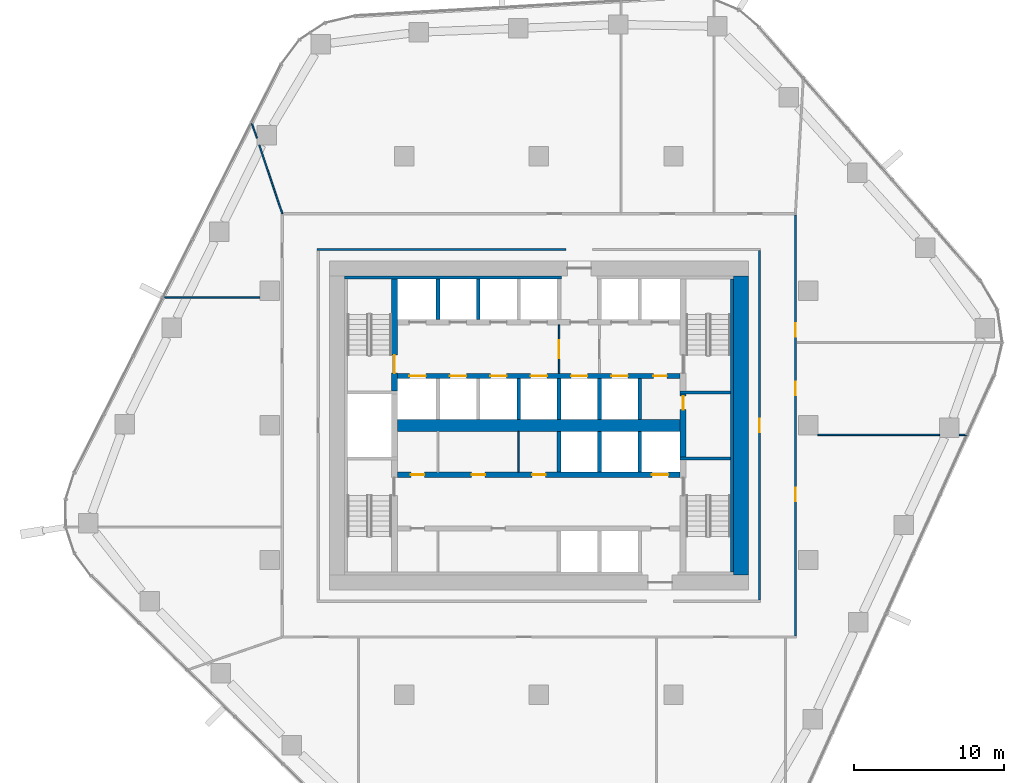
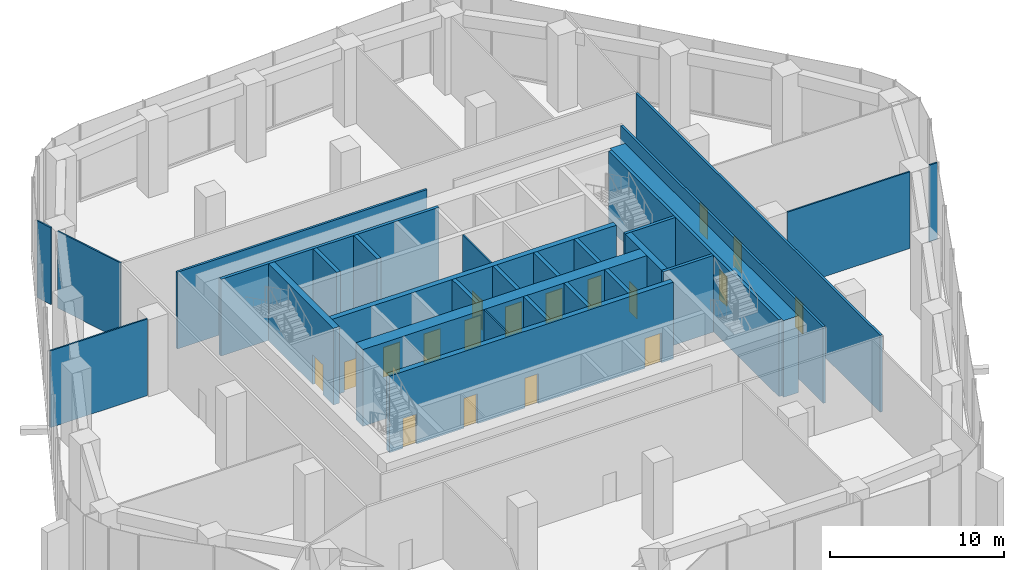
# One storey, part 12 of 18: 29 walls, 18 doors, 18 openings.
"""IFC4 building model written with IfcOpenShell, lengths in metres."""

from ifc_helpers import new_model, si_unit, direction, frame, frame_2d, origin, place, context, subcontext, project, spatial, rectangle, extrude, material, layer, layer_set, type_object, element, fill, save


model = new_model("IFC4")

# Units and contexts
model_context = context("Model", 3, precision=1e-05, world=origin(), true_north=direction((0.0, 1.0)))
body_context = subcontext(model_context, "Body", "Model", "MODEL_VIEW")
ifc_project = project(units=[si_unit("LENGTHUNIT", "METRE"), si_unit("AREAUNIT", "SQUARE_METRE"), si_unit("VOLUMEUNIT", "CUBIC_METRE"), si_unit("PLANEANGLEUNIT", "RADIAN"), si_unit("MASSUNIT", "GRAM", prefix="KILO")], contexts=[model_context])

# Site, building, storey
site_placement = place(None, origin())
site = spatial("IfcSite", under=ifc_project, at=site_placement, CompositionType="ELEMENT")
building_placement = place(site_placement, origin())
building = spatial("IfcBuilding", under=site, at=building_placement, Name="Dongbaek Canopy Tower", CompositionType="ELEMENT")
storey_placement = place(building_placement, frame((0.0, 0.0, 139.60009765625)))
storey = spatial("IfcBuildingStorey", under=building, at=storey_placement, Name="L31", CompositionType="ELEMENT", Elevation=139.60009765625)

# Wall
ifc_material_1 = material(Name="Concrete C60/75", Category="concrete")
ifc_layer_1 = layer(ifc_material_1, 0.800048828125)
ifc_layer_set_1 = layer_set([ifc_layer_1], Name="Core central wall 800 Concrete C60/75")
wall_type_1 = type_object("IfcWallType", Name="Core central wall 800 Concrete C60/75", PredefinedType="SHEAR", material=ifc_layer_set_1)
wall_1_placement = place(storey_placement, frame((-9.449951171875, 0.0, 0.0), z_axis=(0.0, 0.0, 1.0), x_axis=(1.0, 0.0, 0.0)))
element("IfcWall", 1, at=wall_1_placement, inside=storey, type_object=wall_type_1, Name="Core wall", PredefinedType="SHEAR", context=body_context, shape_type="SweptSolid", body=[
    extrude(rectangle(XDim=18.89990234375, YDim=0.800048828125, at=frame_2d((9.449951171875, 0.0))), origin(), (0.0, 0.0, 1.0), 5.39990234375),
])

# Wall, openings, doors
ifc_material_2 = material(Name="Concrete C60/75", Category="concrete")
ifc_layer_2 = layer(ifc_material_2, 0.35009765625)
ifc_layer_set_2 = layer_set([ifc_layer_2], Name="Core lobby wall 350 Concrete C60/75")
wall_type_2 = type_object("IfcWallType", Name="Core lobby wall 350 Concrete C60/75", PredefinedType="SHEAR", material=ifc_layer_set_2)
wall_2_placement = place(storey_placement, frame((9.449951171875, 3.300048828125, 0.0), z_axis=(0.0, 0.0, 1.0), x_axis=(-1.0, 0.0, 0.0)))
wall_2 = element("IfcWall", 2, at=wall_2_placement, inside=storey, type_object=wall_type_2, Name="Core wall", PredefinedType="SHEAR", context=body_context, shape_type="SweptSolid", body=[
    extrude(rectangle(XDim=18.89990234375, YDim=0.35009765625, at=frame_2d((9.449951171875, 0.0))), origin(), (0.0, 0.0, 1.0), 5.39990234375),
])
opening_1_placement = place(wall_2_placement, frame((17.0, 0.0, 0.0)))
opening_1 = element("IfcOpeningElement", 3, at=opening_1_placement, cuts=wall_2, Name="Opening L31-D024", PredefinedType="OPENING", context=body_context, shape_type="SweptSolid", body=[
    extrude(rectangle(XDim=1.10009765625, YDim=2.10009765625, at=frame_2d((0.550048828125, 1.050048828125))), frame((0.0, 0.18505859375, 0.0), z_axis=(0.0, -1.0, 0.0), x_axis=(1.0, 0.0, 0.0)), (0.0, 0.0, 1.0), 0.3701171875),
])
opening_2_placement = place(wall_2_placement, frame((14.300048828125, 0.0, 0.0)))
opening_2 = element("IfcOpeningElement", 4, at=opening_2_placement, cuts=wall_2, Name="Opening L31-D025", PredefinedType="OPENING", context=body_context, shape_type="SweptSolid", body=[
    extrude(rectangle(XDim=1.10009765625, YDim=2.10009765625, at=frame_2d((0.550048828125, 1.050048828125))), frame((0.0, 0.18505859375, 0.0), z_axis=(0.0, -1.0, 0.0), x_axis=(1.0, 0.0, 0.0)), (0.0, 0.0, 1.0), 0.3701171875),
])
opening_3_placement = place(wall_2_placement, frame((11.60009765625, 0.0, 0.0)))
opening_3 = element("IfcOpeningElement", 5, at=opening_3_placement, cuts=wall_2, Name="Opening L31-D026", PredefinedType="OPENING", context=body_context, shape_type="SweptSolid", body=[
    extrude(rectangle(XDim=1.10009765625, YDim=2.10009765625, at=frame_2d((0.550048828125, 1.050048828125))), frame((0.0, 0.18505859375, 0.0), z_axis=(0.0, -1.0, 0.0), x_axis=(1.0, 0.0, 0.0)), (0.0, 0.0, 1.0), 0.3701171875),
])
opening_4_placement = place(wall_2_placement, frame((8.89990234375, 0.0, 0.0)))
opening_4 = element("IfcOpeningElement", 6, at=opening_4_placement, cuts=wall_2, Name="Opening L31-D027", PredefinedType="OPENING", context=body_context, shape_type="SweptSolid", body=[
    extrude(rectangle(XDim=1.10009765625, YDim=2.10009765625, at=frame_2d((0.550048828125, 1.050048828125))), frame((0.0, 0.18505859375, 0.0), z_axis=(0.0, -1.0, 0.0), x_axis=(1.0, 0.0, 0.0)), (0.0, 0.0, 1.0), 0.3701171875),
])
opening_5_placement = place(wall_2_placement, frame((6.199951171875, 0.0, 0.0)))
opening_5 = element("IfcOpeningElement", 7, at=opening_5_placement, cuts=wall_2, Name="Opening L31-D028", PredefinedType="OPENING", context=body_context, shape_type="SweptSolid", body=[
    extrude(rectangle(XDim=1.10009765625, YDim=2.10009765625, at=frame_2d((0.550048828125, 1.050048828125))), frame((0.0, 0.18505859375, 0.0), z_axis=(0.0, -1.0, 0.0), x_axis=(1.0, 0.0, 0.0)), (0.0, 0.0, 1.0), 0.3701171875),
])
opening_6_placement = place(wall_2_placement, frame((3.5, 0.0, 0.0)))
opening_6 = element("IfcOpeningElement", 8, at=opening_6_placement, cuts=wall_2, Name="Opening L31-D029", PredefinedType="OPENING", context=body_context, shape_type="SweptSolid", body=[
    extrude(rectangle(XDim=1.10009765625, YDim=2.10009765625, at=frame_2d((0.550048828125, 1.050048828125))), frame((0.0, 0.18505859375, 0.0), z_axis=(0.0, -1.0, 0.0), x_axis=(1.0, 0.0, 0.0)), (0.0, 0.0, 1.0), 0.3701171875),
])
opening_7_placement = place(wall_2_placement, frame((0.89990234375, 0.0, 0.0)))
opening_7 = element("IfcOpeningElement", 9, at=opening_7_placement, cuts=wall_2, Name="Opening L31-D030", PredefinedType="OPENING", context=body_context, shape_type="SweptSolid", body=[
    extrude(rectangle(XDim=0.89990234375, YDim=2.10009765625, at=frame_2d((0.449951171875, 1.050048828125))), frame((0.0, 0.18505859375, 0.0), z_axis=(0.0, -1.0, 0.0), x_axis=(1.0, 0.0, 0.0)), (0.0, 0.0, 1.0), 0.3701171875),
])
ifc_material_3 = material(Name="Steel", Category="steel")
door_type_1 = type_object("IfcDoorType", Name="Core room door 900 x 2100", OperationType="SINGLE_SWING_LEFT", PredefinedType="DOOR", material=ifc_material_3)
door_1_placement = place(opening_7_placement, origin())
door_1 = element("IfcDoor", 10, at=door_1_placement, inside=storey, type_object=door_type_1, Name="Door L31-D030", OperationType="SINGLE_SWING_LEFT", OverallHeight=2.10009765625, OverallWidth=0.89990234375, PredefinedType="DOOR", context=body_context, shape_type="SweptSolid", body=[
    extrude(rectangle(XDim=0.89990234375, YDim=2.10009765625, at=frame_2d((0.449951171875, 1.050048828125))), frame((0.0, 0.02490234375, 0.0), z_axis=(0.0, -1.0, 0.0), x_axis=(1.0, 0.0, 0.0)), (0.0, 0.0, 1.0), 0.050048828125),
])
fill(opening_7, door_1)
ifc_material_4 = material(Name="Stainless steel", Category="steel")
door_type_2 = type_object("IfcDoorType", Name="Lift landing door 1100 x 2100", OperationType="DOUBLE_DOOR_SLIDING", PredefinedType="DOOR", material=ifc_material_4)
door_2_placement = place(opening_1_placement, origin())
door_2 = element("IfcDoor", 11, at=door_2_placement, inside=storey, type_object=door_type_2, Name="Landing door LR5", OperationType="DOUBLE_DOOR_SLIDING", OverallHeight=2.10009765625, OverallWidth=1.10009765625, PredefinedType="DOOR", context=body_context, shape_type="SweptSolid", body=[
    extrude(rectangle(XDim=1.10009765625, YDim=2.10009765625, at=frame_2d((0.550048828125, 1.050048828125))), frame((0.0, 0.02490234375, 0.0), z_axis=(0.0, -1.0, 0.0), x_axis=(1.0, 0.0, 0.0)), (0.0, 0.0, 1.0), 0.050048828125),
])
fill(opening_1, door_2)
door_3_placement = place(opening_2_placement, origin())
door_3 = element("IfcDoor", 12, at=door_3_placement, inside=storey, type_object=door_type_2, Name="Landing door LR6", OperationType="DOUBLE_DOOR_SLIDING", OverallHeight=2.10009765625, OverallWidth=1.10009765625, PredefinedType="DOOR", context=body_context, shape_type="SweptSolid", body=[
    extrude(rectangle(XDim=1.10009765625, YDim=2.10009765625, at=frame_2d((0.550048828125, 1.050048828125))), frame((0.0, 0.02490234375, 0.0), z_axis=(0.0, -1.0, 0.0), x_axis=(1.0, 0.0, 0.0)), (0.0, 0.0, 1.0), 0.050048828125),
])
fill(opening_2, door_3)
door_4_placement = place(opening_3_placement, origin())
door_4 = element("IfcDoor", 13, at=door_4_placement, inside=storey, type_object=door_type_2, Name="Landing door LR7", OperationType="DOUBLE_DOOR_SLIDING", OverallHeight=2.10009765625, OverallWidth=1.10009765625, PredefinedType="DOOR", context=body_context, shape_type="SweptSolid", body=[
    extrude(rectangle(XDim=1.10009765625, YDim=2.10009765625, at=frame_2d((0.550048828125, 1.050048828125))), frame((0.0, 0.02490234375, 0.0), z_axis=(0.0, -1.0, 0.0), x_axis=(1.0, 0.0, 0.0)), (0.0, 0.0, 1.0), 0.050048828125),
])
fill(opening_3, door_4)
door_5_placement = place(opening_4_placement, origin())
door_5 = element("IfcDoor", 14, at=door_5_placement, inside=storey, type_object=door_type_2, Name="Landing door LR8", OperationType="DOUBLE_DOOR_SLIDING", OverallHeight=2.10009765625, OverallWidth=1.10009765625, PredefinedType="DOOR", context=body_context, shape_type="SweptSolid", body=[
    extrude(rectangle(XDim=1.10009765625, YDim=2.10009765625, at=frame_2d((0.550048828125, 1.050048828125))), frame((0.0, 0.02490234375, 0.0), z_axis=(0.0, -1.0, 0.0), x_axis=(1.0, 0.0, 0.0)), (0.0, 0.0, 1.0), 0.050048828125),
])
fill(opening_4, door_5)
door_6_placement = place(opening_5_placement, origin())
door_6 = element("IfcDoor", 15, at=door_6_placement, inside=storey, type_object=door_type_2, Name="Landing door SV1", OperationType="DOUBLE_DOOR_SLIDING", OverallHeight=2.10009765625, OverallWidth=1.10009765625, PredefinedType="DOOR", context=body_context, shape_type="SweptSolid", body=[
    extrude(rectangle(XDim=1.10009765625, YDim=2.10009765625, at=frame_2d((0.550048828125, 1.050048828125))), frame((0.0, 0.02490234375, 0.0), z_axis=(0.0, -1.0, 0.0), x_axis=(1.0, 0.0, 0.0)), (0.0, 0.0, 1.0), 0.050048828125),
])
fill(opening_5, door_6)
door_7_placement = place(opening_6_placement, origin())
door_7 = element("IfcDoor", 16, at=door_7_placement, inside=storey, type_object=door_type_2, Name="Landing door FF3", OperationType="DOUBLE_DOOR_SLIDING", OverallHeight=2.10009765625, OverallWidth=1.10009765625, PredefinedType="DOOR", context=body_context, shape_type="SweptSolid", body=[
    extrude(rectangle(XDim=1.10009765625, YDim=2.10009765625, at=frame_2d((0.550048828125, 1.050048828125))), frame((0.0, 0.02490234375, 0.0), z_axis=(0.0, -1.0, 0.0), x_axis=(1.0, 0.0, 0.0)), (0.0, 0.0, 1.0), 0.050048828125),
])
fill(opening_6, door_7)

wall_3_placement = place(storey_placement, frame((-9.449951171875, -3.300048828125, 0.0), z_axis=(0.0, 0.0, 1.0), x_axis=(1.0, 0.0, 0.0)))
wall_3 = element("IfcWall", 17, at=wall_3_placement, inside=storey, type_object=wall_type_2, Name="Core wall", PredefinedType="SHEAR", context=body_context, shape_type="SweptSolid", body=[
    extrude(rectangle(XDim=18.89990234375, YDim=0.35009765625, at=frame_2d((9.449951171875, 0.0))), origin(), (0.0, 0.0, 1.0), 5.39990234375),
])
opening_8_placement = place(wall_3_placement, frame((17.0, 0.0, 0.0)))
opening_8 = element("IfcOpeningElement", 18, at=opening_8_placement, cuts=wall_3, Name="Opening L31-D031", PredefinedType="OPENING", context=body_context, shape_type="SweptSolid", body=[
    extrude(rectangle(XDim=1.10009765625, YDim=2.10009765625, at=frame_2d((0.550048828125, 1.050048828125))), frame((0.0, 0.18505859375, 0.0), z_axis=(0.0, -1.0, 0.0), x_axis=(1.0, 0.0, 0.0)), (0.0, 0.0, 1.0), 0.3701171875),
])
opening_9_placement = place(wall_3_placement, frame((0.89990234375, 0.0, 0.0)))
opening_9 = element("IfcOpeningElement", 19, at=opening_9_placement, cuts=wall_3, Name="Opening L31-D034", PredefinedType="OPENING", context=body_context, shape_type="SweptSolid", body=[
    extrude(rectangle(XDim=0.89990234375, YDim=2.10009765625, at=frame_2d((0.449951171875, 1.050048828125))), frame((0.0, 0.18505859375, 0.0), z_axis=(0.0, -1.0, 0.0), x_axis=(1.0, 0.0, 0.0)), (0.0, 0.0, 1.0), 0.3701171875),
])
opening_10_placement = place(wall_3_placement, frame((4.949951171875, 0.0, 0.0)))
opening_10 = element("IfcOpeningElement", 20, at=opening_10_placement, cuts=wall_3, Name="Opening L31-D035", PredefinedType="OPENING", context=body_context, shape_type="SweptSolid", body=[
    extrude(rectangle(XDim=0.89990234375, YDim=2.10009765625, at=frame_2d((0.449951171875, 1.050048828125))), frame((0.0, 0.18505859375, 0.0), z_axis=(0.0, -1.0, 0.0), x_axis=(1.0, 0.0, 0.0)), (0.0, 0.0, 1.0), 0.3701171875),
])
opening_11_placement = place(wall_3_placement, frame((9.0, 0.0, 0.0)))
opening_11 = element("IfcOpeningElement", 21, at=opening_11_placement, cuts=wall_3, Name="Opening L31-D036", PredefinedType="OPENING", context=body_context, shape_type="SweptSolid", body=[
    extrude(rectangle(XDim=0.89990234375, YDim=2.10009765625, at=frame_2d((0.449951171875, 1.050048828125))), frame((0.0, 0.18505859375, 0.0), z_axis=(0.0, -1.0, 0.0), x_axis=(1.0, 0.0, 0.0)), (0.0, 0.0, 1.0), 0.3701171875),
])
door_8_placement = place(opening_9_placement, origin())
door_8 = element("IfcDoor", 22, at=door_8_placement, inside=storey, type_object=door_type_1, Name="Door L31-D034", OperationType="SINGLE_SWING_RIGHT", OverallHeight=2.10009765625, OverallWidth=0.89990234375, PredefinedType="DOOR", context=body_context, shape_type="SweptSolid", body=[
    extrude(rectangle(XDim=0.89990234375, YDim=2.10009765625, at=frame_2d((0.449951171875, 1.050048828125))), frame((0.0, 0.02490234375, 0.0), z_axis=(0.0, -1.0, 0.0), x_axis=(1.0, 0.0, 0.0)), (0.0, 0.0, 1.0), 0.050048828125),
])
fill(opening_9, door_8)
door_9_placement = place(opening_10_placement, origin())
door_9 = element("IfcDoor", 23, at=door_9_placement, inside=storey, type_object=door_type_1, Name="Door L31-D035", OperationType="SINGLE_SWING_LEFT", OverallHeight=2.10009765625, OverallWidth=0.89990234375, PredefinedType="DOOR", context=body_context, shape_type="SweptSolid", body=[
    extrude(rectangle(XDim=0.89990234375, YDim=2.10009765625, at=frame_2d((0.449951171875, 1.050048828125))), frame((0.0, 0.02490234375, 0.0), z_axis=(0.0, -1.0, 0.0), x_axis=(1.0, 0.0, 0.0)), (0.0, 0.0, 1.0), 0.050048828125),
])
fill(opening_10, door_9)
door_10_placement = place(opening_11_placement, origin())
door_10 = element("IfcDoor", 24, at=door_10_placement, inside=storey, type_object=door_type_1, Name="Door L31-D036", OperationType="SINGLE_SWING_RIGHT", OverallHeight=2.10009765625, OverallWidth=0.89990234375, PredefinedType="DOOR", context=body_context, shape_type="SweptSolid", body=[
    extrude(rectangle(XDim=0.89990234375, YDim=2.10009765625, at=frame_2d((0.449951171875, 1.050048828125))), frame((0.0, 0.02490234375, 0.0), z_axis=(0.0, -1.0, 0.0), x_axis=(1.0, 0.0, 0.0)), (0.0, 0.0, 1.0), 0.050048828125),
])
fill(opening_11, door_10)
door_11_placement = place(opening_8_placement, origin())
door_11 = element("IfcDoor", 25, at=door_11_placement, inside=storey, type_object=door_type_2, Name="Landing door SV2", OperationType="DOUBLE_DOOR_SLIDING", OverallHeight=2.10009765625, OverallWidth=1.10009765625, PredefinedType="DOOR", context=body_context, shape_type="SweptSolid", body=[
    extrude(rectangle(XDim=1.10009765625, YDim=2.10009765625, at=frame_2d((0.550048828125, 1.050048828125))), frame((0.0, 0.02490234375, 0.0), z_axis=(0.0, -1.0, 0.0), x_axis=(1.0, 0.0, 0.0)), (0.0, 0.0, 1.0), 0.050048828125),
])
fill(opening_8, door_11)

# Walls
ifc_material_5 = material(Name="Concrete C60/75", Category="concrete")
ifc_layer_3 = layer(ifc_material_5, 1.0)
ifc_layer_set_3 = layer_set([ifc_layer_3], Name="Core outer wall 1000 Concrete C60/75")
wall_type_3 = type_object("IfcWallType", Name="Core outer wall 1000 Concrete C60/75", PredefinedType="SHEAR", material=ifc_layer_set_3)
wall_4_placement = place(storey_placement, frame((13.5, 10.0, 0.0), z_axis=(0.0, 0.0, 1.0), x_axis=(0.0, -1.0, 0.0)))
element("IfcWall", 26, at=wall_4_placement, inside=storey, type_object=wall_type_3, Name="Core wall", PredefinedType="SHEAR", context=body_context, shape_type="SweptSolid", body=[
    extrude(rectangle(XDim=20.0, YDim=1.0, at=frame_2d((10.0, 0.0))), origin(), (0.0, 0.0, 1.0), 5.39990234375),
])
ifc_material_6 = material(Name="Concrete C60/75", Category="concrete")
ifc_layer_4 = layer(ifc_material_6, 0.199951171875)
ifc_layer_set_4 = layer_set([ifc_layer_4], Name="Core wall lining 200 Concrete C60/75")
wall_type_4 = type_object("IfcWallType", Name="Core wall lining 200 Concrete C60/75", PredefinedType="SHEAR", material=ifc_layer_set_4)
wall_5_placement = place(storey_placement, frame((-13.0, 9.89990234375, 0.0), z_axis=(0.0, 0.0, 1.0), x_axis=(1.0, 0.0, 0.0)))
element("IfcWall", 27, at=wall_5_placement, inside=storey, type_object=wall_type_4, Name="Core wall lining", PredefinedType="SHEAR", context=body_context, shape_type="SweptSolid", body=[
    extrude(rectangle(XDim=14.5, YDim=0.199951171875, at=frame_2d((7.25, 0.0))), origin(), (0.0, 0.0, 1.0), 5.39990234375),
])
wall_6_placement = place(storey_placement, frame((12.89990234375, 9.800048828125, 0.0), z_axis=(0.0, 0.0, 1.0), x_axis=(0.0, -1.0, 0.0)))
element("IfcWall", 28, at=wall_6_placement, inside=storey, type_object=wall_type_4, Name="Core wall lining", PredefinedType="SHEAR", context=body_context, shape_type="SweptSolid", body=[
    extrude(rectangle(XDim=19.60009765625, YDim=0.199951171875, at=frame_2d((9.800048828125, 0.0))), origin(), (0.0, 0.0, 1.0), 5.39990234375),
])
ifc_material_7 = material(Name="Gypsum board partition, steel stud, 2 x 15 mm fire board", Category="steel")
ifc_layer_5 = layer(ifc_material_7, 0.14990234375)
ifc_layer_set_5 = layer_set([ifc_layer_5], Name="Fire-rated partition 150 gypsum board")
wall_type_5 = type_object("IfcWallType", Name="Fire-rated partition 150 gypsum board", PredefinedType="PARTITIONING", material=ifc_layer_set_5)
wall_7_placement = place(storey_placement, frame((-14.824951171875, 11.75, 0.0), z_axis=(0.0, 0.0, 1.0), x_axis=(1.0, 0.0, 0.0)))
element("IfcWall", 29, at=wall_7_placement, inside=storey, type_object=wall_type_5, Name="Corridor partition", PredefinedType="PARTITIONING", context=body_context, shape_type="SweptSolid", body=[
    extrude(rectangle(XDim=16.625, YDim=0.14990234375, at=frame_2d((8.3125, 0.0))), origin(), (0.0, 0.0, 1.0), 5.39990234375),
])

# Wall, openings, doors
wall_8_placement = place(storey_placement, frame((17.14990234375, 14.074951171875, 0.0), z_axis=(0.0, 0.0, 1.0), x_axis=(0.0, -1.0, 0.0)))
wall_8 = element("IfcWall", 30, at=wall_8_placement, inside=storey, type_object=wall_type_5, Name="Corridor partition", PredefinedType="PARTITIONING", context=body_context, shape_type="SweptSolid", body=[
    extrude(rectangle(XDim=28.14990234375, YDim=0.14990234375, at=frame_2d((14.074951171875, 0.0))), origin(), (0.0, 0.0, 1.0), 5.39990234375),
])
opening_12_placement = place(wall_8_placement, frame((18.23486328125, 0.0, 0.0)))
opening_12 = element("IfcOpeningElement", 31, at=opening_12_placement, cuts=wall_8, Name="Opening L31-D005", PredefinedType="OPENING", context=body_context, shape_type="SweptSolid", body=[
    extrude(rectangle(XDim=0.89990234375, YDim=2.10009765625, at=frame_2d((0.449951171875, 1.050048828125))), frame((0.0, 0.0849609375, 0.0), z_axis=(0.0, -1.0, 0.0), x_axis=(1.0, 0.0, 0.0)), (0.0, 0.0, 1.0), 0.169921875),
])
opening_13_placement = place(wall_8_placement, frame((11.173828125, 0.0, 0.0)))
opening_13 = element("IfcOpeningElement", 32, at=opening_13_placement, cuts=wall_8, Name="Opening L31-D006", PredefinedType="OPENING", context=body_context, shape_type="SweptSolid", body=[
    extrude(rectangle(XDim=0.89990234375, YDim=2.10009765625, at=frame_2d((0.449951171875, 1.050048828125))), frame((0.0, 0.0849609375, 0.0), z_axis=(0.0, -1.0, 0.0), x_axis=(1.0, 0.0, 0.0)), (0.0, 0.0, 1.0), 0.169921875),
])
opening_14_placement = place(wall_8_placement, frame((7.2421875, 0.0, 0.0)))
opening_14 = element("IfcOpeningElement", 33, at=opening_14_placement, cuts=wall_8, Name="Opening L31-D007", PredefinedType="OPENING", context=body_context, shape_type="SweptSolid", body=[
    extrude(rectangle(XDim=0.89990234375, YDim=2.10009765625, at=frame_2d((0.449951171875, 1.050048828125))), frame((0.0, 0.0849609375, 0.0), z_axis=(0.0, -1.0, 0.0), x_axis=(1.0, 0.0, 0.0)), (0.0, 0.0, 1.0), 0.169921875),
])
ifc_material_8 = material(Name="Timber veneered door leaf", Category="wood")
door_type_3 = type_object("IfcDoorType", Name="Room door 900 x 2100", OperationType="SINGLE_SWING_LEFT", PredefinedType="DOOR", material=ifc_material_8)
door_12_placement = place(opening_12_placement, origin())
door_12 = element("IfcDoor", 34, at=door_12_placement, inside=storey, type_object=door_type_3, Name="Door L31-D005", OperationType="SINGLE_SWING_RIGHT", OverallHeight=2.10009765625, OverallWidth=0.89990234375, PredefinedType="DOOR", context=body_context, shape_type="SweptSolid", body=[
    extrude(rectangle(XDim=0.89990234375, YDim=2.10009765625, at=frame_2d((0.449951171875, 1.050048828125))), frame((0.0, 0.02490234375, 0.0), z_axis=(0.0, -1.0, 0.0), x_axis=(1.0, 0.0, 0.0)), (0.0, 0.0, 1.0), 0.050048828125),
])
fill(opening_12, door_12)
door_13_placement = place(opening_13_placement, origin())
door_13 = element("IfcDoor", 35, at=door_13_placement, inside=storey, type_object=door_type_3, Name="Door L31-D006", OperationType="SINGLE_SWING_LEFT", OverallHeight=2.10009765625, OverallWidth=0.89990234375, PredefinedType="DOOR", context=body_context, shape_type="SweptSolid", body=[
    extrude(rectangle(XDim=0.89990234375, YDim=2.10009765625, at=frame_2d((0.449951171875, 1.050048828125))), frame((0.0, 0.02490234375, 0.0), z_axis=(0.0, -1.0, 0.0), x_axis=(1.0, 0.0, 0.0)), (0.0, 0.0, 1.0), 0.050048828125),
])
fill(opening_13, door_13)
door_14_placement = place(opening_14_placement, origin())
door_14 = element("IfcDoor", 36, at=door_14_placement, inside=storey, type_object=door_type_3, Name="Door L31-D007", OperationType="SINGLE_SWING_RIGHT", OverallHeight=2.10009765625, OverallWidth=0.89990234375, PredefinedType="DOOR", context=body_context, shape_type="SweptSolid", body=[
    extrude(rectangle(XDim=0.89990234375, YDim=2.10009765625, at=frame_2d((0.449951171875, 1.050048828125))), frame((0.0, 0.02490234375, 0.0), z_axis=(0.0, -1.0, 0.0), x_axis=(1.0, 0.0, 0.0)), (0.0, 0.0, 1.0), 0.050048828125),
])
fill(opening_14, door_14)

# Wall, opening, door
wall_9_placement = place(storey_placement, frame((14.75, -11.675048828125, 0.0), z_axis=(0.0, 0.0, 1.0), x_axis=(0.0, 1.0, 0.0)))
wall_9 = element("IfcWall", 37, at=wall_9_placement, inside=storey, type_object=wall_type_5, Name="Corridor partition", PredefinedType="PARTITIONING", context=body_context, shape_type="SweptSolid", body=[
    extrude(rectangle(XDim=23.35009765625, YDim=0.14990234375, at=frame_2d((11.675048828125, 0.0))), origin(), (0.0, 0.0, 1.0), 5.39990234375),
])
opening_15_placement = place(wall_9_placement, frame((11.22509765625, 0.0, 0.0)))
opening_15 = element("IfcOpeningElement", 38, at=opening_15_placement, cuts=wall_9, Name="Opening L31-D014", PredefinedType="OPENING", context=body_context, shape_type="SweptSolid", body=[
    extrude(rectangle(XDim=0.89990234375, YDim=2.10009765625, at=frame_2d((0.449951171875, 1.050048828125))), frame((0.0, 0.0849609375, 0.0), z_axis=(0.0, -1.0, 0.0), x_axis=(1.0, 0.0, 0.0)), (0.0, 0.0, 1.0), 0.169921875),
])
door_15_placement = place(opening_15_placement, origin())
door_15 = element("IfcDoor", 39, at=door_15_placement, inside=storey, type_object=door_type_3, Name="Door L31-D014", OperationType="SINGLE_SWING_LEFT", OverallHeight=2.10009765625, OverallWidth=0.89990234375, PredefinedType="DOOR", context=body_context, shape_type="SweptSolid", body=[
    extrude(rectangle(XDim=0.89990234375, YDim=2.10009765625, at=frame_2d((0.449951171875, 1.050048828125))), frame((0.0, 0.02490234375, 0.0), z_axis=(0.0, -1.0, 0.0), x_axis=(1.0, 0.0, 0.0)), (0.0, 0.0, 1.0), 0.050048828125),
])
fill(opening_15, door_15)

# Walls
ifc_material_9 = material(Name="Concrete C40/50", Category="concrete")
ifc_layer_6 = layer(ifc_material_9, 0.25)
ifc_layer_set_6 = layer_set([ifc_layer_6], Name="Lift shaft wall 250 Concrete C40/50")
wall_type_6 = type_object("IfcWallType", Name="Lift shaft wall 250 Concrete C40/50", PredefinedType="SOLIDWALL", material=ifc_layer_set_6)
for number, where, z_axis, x_axis, name in (
    (40, (6.75, -3.125, 0.0), (0.0, 0.0, 1.0), (0.0, 1.0, 0.0), "Lift shaft wall"),
    (41, (6.75, 0.39990234375, 0.0), (0.0, 0.0, 1.0), (0.0, 1.0, 0.0), "Lift shaft wall"),
    (42, (4.050048828125, -3.125, 0.0), (0.0, 0.0, 1.0), (0.0, 1.0, 0.0), "Lift shaft wall"),
    (43, (4.050048828125, 0.39990234375, 0.0), (0.0, 0.0, 1.0), (0.0, 1.0, 0.0), "Lift shaft wall"),
    (44, (1.35009765625, -3.125, 0.0), (0.0, 0.0, 1.0), (0.0, 1.0, 0.0), "Lift shaft wall"),
    (45, (1.35009765625, 0.39990234375, 0.0), (0.0, 0.0, 1.0), (0.0, 1.0, 0.0), "Lift shaft wall"),
    (46, (-1.35009765625, 0.39990234375, 0.0), (0.0, 0.0, 1.0), (0.0, 1.0, 0.0), "Lift shaft wall"),
    (47, (-4.050048828125, 7.074951171875, 0.0), (0.0, 0.0, 1.0), (0.0, 1.0, 0.0), "Lift shaft wall"),
    (48, (-6.75, 7.074951171875, 0.0), (0.0, 0.0, 1.0), (0.0, 1.0, 0.0), "Lift shaft wall"),
):
    element("IfcWall", number, at=place(storey_placement, frame(where, z_axis=z_axis, x_axis=x_axis)), inside=storey, type_object=wall_type_6, Name=name, PredefinedType="SOLIDWALL", context=body_context, shape_type="SweptSolid", body=[
        extrude(rectangle(XDim=2.72509765625, YDim=0.25, at=frame_2d((1.362548828125, 0.0))), origin(), (0.0, 0.0, 1.0), 5.39990234375),
    ])
ifc_material_10 = material(Name="Gypsum board partition, steel stud, 2 x 12.5 mm board", Category="steel")
ifc_layer_7 = layer(ifc_material_10, 0.10009765625)
ifc_layer_set_7 = layer_set([ifc_layer_7], Name="Partition 100 gypsum board")
wall_type_7 = type_object("IfcWallType", Name="Partition 100 gypsum board", PredefinedType="PARTITIONING", material=ifc_layer_set_7)
wall_10_placement = place(storey_placement, frame((18.64990234375, -0.626953125, 0.0), z_axis=(0.0, 0.0, 1.0), x_axis=(1.0, 0.0, 0.0)))
element("IfcWall", 49, at=wall_10_placement, inside=storey, type_object=wall_type_7, Name="Partition", PredefinedType="PARTITIONING", context=body_context, shape_type="SweptSolid", body=[
    extrude(rectangle(XDim=8.135986328125, YDim=0.10009765625, at=frame_2d((4.06787109375, 0.0))), origin(), (0.0, 0.0, 1.0), 5.39990234375),
])
wall_11_placement = place(storey_placement, frame((28.0859375, -0.626953125, 0.0), z_axis=(0.0, 0.0, 1.0), x_axis=(1.0, 0.0, 0.0)))
element("IfcWall", 50, at=wall_11_placement, inside=storey, type_object=wall_type_7, Name="Partition", PredefinedType="PARTITIONING", context=body_context, shape_type="SweptSolid", body=[
    extrude(rectangle(XDim=0.534912109375, YDim=0.10009765625, at=frame_2d((0.267578125, 0.0))), origin(), (0.0, 0.0, 1.0), 5.39990234375),
])
wall_12_placement = place(storey_placement, frame((-25.11279296875, 8.5380859375, 0.0), z_axis=(0.0, 0.0, 1.0), x_axis=(1.0, 0.0, 0.0)))
element("IfcWall", 51, at=wall_12_placement, inside=storey, type_object=wall_type_7, Name="Partition", PredefinedType="PARTITIONING", context=body_context, shape_type="SweptSolid", body=[
    extrude(rectangle(XDim=6.462890625, YDim=0.10009765625, at=frame_2d((3.2314453125, 0.0))), origin(), (0.0, 0.0, 1.0), 5.39990234375),
])
wall_13_placement = place(storey_placement, frame((-19.19189453125, 20.2216796875, 0.0), z_axis=(0.0, 0.0, 1.0), x_axis=(0.318678080151, -0.947863007629, 0.0)))
element("IfcWall", 52, at=wall_13_placement, inside=storey, type_object=wall_type_7, Name="Partition", PredefinedType="PARTITIONING", context=body_context, shape_type="SweptSolid", body=[
    extrude(rectangle(XDim=1.07568359375, YDim=0.10009765625, at=frame_2d((0.537841796875, 0.0))), origin(), (0.0, 0.0, 1.0), 5.39990234375),
])
wall_14_placement = place(storey_placement, frame((-18.692138671875, 18.736083984375, 0.0), z_axis=(0.0, 0.0, 1.0), x_axis=(0.318754680196, -0.94783725072, 0.0)))
element("IfcWall", 53, at=wall_14_placement, inside=storey, type_object=wall_type_7, Name="Partition", PredefinedType="PARTITIONING", context=body_context, shape_type="SweptSolid", body=[
    extrude(rectangle(XDim=4.83837890625, YDim=0.10009765625, at=frame_2d((2.419189453125, 0.0))), origin(), (0.0, 0.0, 1.0), 5.39990234375),
])

# Wall, opening, door
wall_15_placement = place(storey_placement, frame((1.35009765625, 6.72509765625, 0.0), z_axis=(0.0, 0.0, 1.0), x_axis=(0.0, -1.0, 0.0)))
wall_15 = element("IfcWall", 54, at=wall_15_placement, inside=storey, type_object=wall_type_7, Name="Core partition", PredefinedType="PARTITIONING", context=body_context, shape_type="SweptSolid", body=[
    extrude(rectangle(XDim=3.25, YDim=0.10009765625, at=frame_2d((1.625, 0.0))), origin(), (0.0, 0.0, 1.0), 5.39990234375),
])
opening_16_placement = place(wall_15_placement, frame((1.02490234375, 0.0, 0.0)))
opening_16 = element("IfcOpeningElement", 55, at=opening_16_placement, cuts=wall_15, Name="Opening L31-D043", PredefinedType="OPENING", context=body_context, shape_type="SweptSolid", body=[
    extrude(rectangle(XDim=1.199951171875, YDim=2.10009765625, at=frame_2d((0.60009765625, 1.050048828125))), frame((0.0, 0.06005859375, 0.0), z_axis=(0.0, -1.0, 0.0), x_axis=(1.0, 0.0, 0.0)), (0.0, 0.0, 1.0), 0.1201171875),
])
ifc_material_11 = material(Name="Steel", Category="steel")
door_type_4 = type_object("IfcDoorType", Name="Fire lobby door 1200 x 2100", OperationType="SINGLE_SWING_LEFT", PredefinedType="DOOR", material=ifc_material_11)
door_16_placement = place(opening_16_placement, origin())
door_16 = element("IfcDoor", 56, at=door_16_placement, inside=storey, type_object=door_type_4, Name="Door L31-D043", OperationType="SINGLE_SWING_LEFT", OverallHeight=2.10009765625, OverallWidth=1.199951171875, PredefinedType="DOOR", context=body_context, shape_type="SweptSolid", body=[
    extrude(rectangle(XDim=1.199951171875, YDim=2.10009765625, at=frame_2d((0.60009765625, 1.050048828125))), frame((0.0, 0.02490234375, 0.0), z_axis=(0.0, -1.0, 0.0), x_axis=(1.0, 0.0, 0.0)), (0.0, 0.0, 1.0), 0.050048828125),
])
fill(opening_16, door_16)

# Walls
wall_16_placement = place(storey_placement, frame((-1.35009765625, -3.125, 0.0), z_axis=(0.0, 0.0, 1.0), x_axis=(0.0, 1.0, 0.0)))
element("IfcWall", 57, at=wall_16_placement, inside=storey, type_object=wall_type_7, Name="Core partition", PredefinedType="PARTITIONING", context=body_context, shape_type="SweptSolid", body=[
    extrude(rectangle(XDim=2.72509765625, YDim=0.10009765625, at=frame_2d((1.362548828125, 0.0))), origin(), (0.0, 0.0, 1.0), 5.39990234375),
])
ifc_material_12 = material(Name="Concrete C60/75", Category="concrete")
ifc_layer_8 = layer(ifc_material_12, 0.199951171875)
ifc_layer_set_8 = layer_set([ifc_layer_8], Name="Riser wall 200 Concrete C60/75")
wall_type_8 = type_object("IfcWallType", Name="Riser wall 200 Concrete C60/75", PredefinedType="SHEAR", material=ifc_layer_set_8)
for number, where, z_axis, x_axis, name in (
    (58, (9.449951171875, 2.199951171875, 0.0), (0.0, 0.0, 1.0), (1.0, 0.0, 0.0), "Riser wall"),
    (59, (9.449951171875, -2.199951171875, 0.0), (0.0, 0.0, 1.0), (1.0, 0.0, 0.0), "Riser wall"),
):
    element("IfcWall", number, at=place(storey_placement, frame(where, z_axis=z_axis, x_axis=x_axis)), inside=storey, type_object=wall_type_8, Name=name, PredefinedType="SHEAR", context=body_context, shape_type="SweptSolid", body=[
        extrude(rectangle(XDim=3.35009765625, YDim=0.199951171875, at=frame_2d((1.675048828125, 0.0))), origin(), (0.0, 0.0, 1.0), 5.39990234375),
    ])

# Wall, opening, door
ifc_material_13 = material(Name="Concrete C60/75", Category="concrete")
ifc_layer_9 = layer(ifc_material_13, 0.39990234375)
ifc_layer_set_9 = layer_set([ifc_layer_9], Name="Stair wall 400 Concrete C60/75")
wall_type_9 = type_object("IfcWallType", Name="Stair wall 400 Concrete C60/75", PredefinedType="SHEAR", material=ifc_layer_set_9)
wall_17_placement = place(storey_placement, frame((9.64990234375, 2.10009765625, 0.0), z_axis=(0.0, 0.0, 1.0), x_axis=(0.0, -1.0, 0.0)))
wall_17 = element("IfcWall", 60, at=wall_17_placement, inside=storey, type_object=wall_type_9, Name="Stair wall", PredefinedType="SHEAR", context=body_context, shape_type="SweptSolid", body=[
    extrude(rectangle(XDim=4.2001953125, YDim=0.39990234375, at=frame_2d((2.10009765625, 0.0))), origin(), (0.0, 0.0, 1.0), 5.39990234375),
])
opening_17_placement = place(wall_17_placement, frame((0.14990234375, 0.0, 0.0)))
opening_17 = element("IfcOpeningElement", 61, at=opening_17_placement, cuts=wall_17, Name="Opening L31-D015", PredefinedType="OPENING", context=body_context, shape_type="SweptSolid", body=[
    extrude(rectangle(XDim=0.89990234375, YDim=2.10009765625, at=frame_2d((0.449951171875, 1.050048828125))), frame((0.0, 0.2099609375, 0.0), z_axis=(0.0, -1.0, 0.0), x_axis=(1.0, 0.0, 0.0)), (0.0, 0.0, 1.0), 0.419921875),
])
door_17_placement = place(opening_17_placement, origin())
door_17 = element("IfcDoor", 62, at=door_17_placement, inside=storey, type_object=door_type_1, Name="Door L31-D015", OperationType="SINGLE_SWING_RIGHT", OverallHeight=2.10009765625, OverallWidth=0.89990234375, PredefinedType="DOOR", context=body_context, shape_type="SweptSolid", body=[
    extrude(rectangle(XDim=0.89990234375, YDim=2.10009765625, at=frame_2d((0.449951171875, 1.050048828125))), frame((0.0, 0.02490234375, 0.0), z_axis=(0.0, -1.0, 0.0), x_axis=(1.0, 0.0, 0.0)), (0.0, 0.0, 1.0), 0.050048828125),
])
fill(opening_17, door_17)

wall_18_placement = place(storey_placement, frame((-9.64990234375, 2.300048828125, 0.0), z_axis=(0.0, 0.0, 1.0), x_axis=(0.0, 1.0, 0.0)))
wall_18 = element("IfcWall", 63, at=wall_18_placement, inside=storey, type_object=wall_type_9, Name="Stair wall", PredefinedType="SHEAR", context=body_context, shape_type="SweptSolid", body=[
    extrude(rectangle(XDim=7.5, YDim=0.39990234375, at=frame_2d((3.75, 0.0))), origin(), (0.0, 0.0, 1.0), 5.39990234375),
])
opening_18_placement = place(wall_18_placement, frame((1.199951171875, 0.0, 0.0)))
opening_18 = element("IfcOpeningElement", 64, at=opening_18_placement, cuts=wall_18, Name="Opening L31-D040", PredefinedType="OPENING", context=body_context, shape_type="SweptSolid", body=[
    extrude(rectangle(XDim=1.199951171875, YDim=2.10009765625, at=frame_2d((0.60009765625, 1.050048828125))), frame((0.0, 0.2099609375, 0.0), z_axis=(0.0, -1.0, 0.0), x_axis=(1.0, 0.0, 0.0)), (0.0, 0.0, 1.0), 0.419921875),
])
ifc_material_14 = material(Name="Steel", Category="steel")
door_type_5 = type_object("IfcDoorType", Name="Stair door 1200 x 2100", OperationType="SINGLE_SWING_LEFT", PredefinedType="DOOR", material=ifc_material_14)
door_18_placement = place(opening_18_placement, origin())
door_18 = element("IfcDoor", 65, at=door_18_placement, inside=storey, type_object=door_type_5, Name="Stair C door", OperationType="SINGLE_SWING_RIGHT", OverallHeight=2.10009765625, OverallWidth=1.199951171875, PredefinedType="DOOR", context=body_context, shape_type="SweptSolid", body=[
    extrude(rectangle(XDim=1.199951171875, YDim=2.10009765625, at=frame_2d((0.60009765625, 1.050048828125))), frame((0.0, 0.02490234375, 0.0), z_axis=(0.0, -1.0, 0.0), x_axis=(1.0, 0.0, 0.0)), (0.0, 0.0, 1.0), 0.050048828125),
])
fill(opening_18, door_18)

save(model, "model.ifc")
